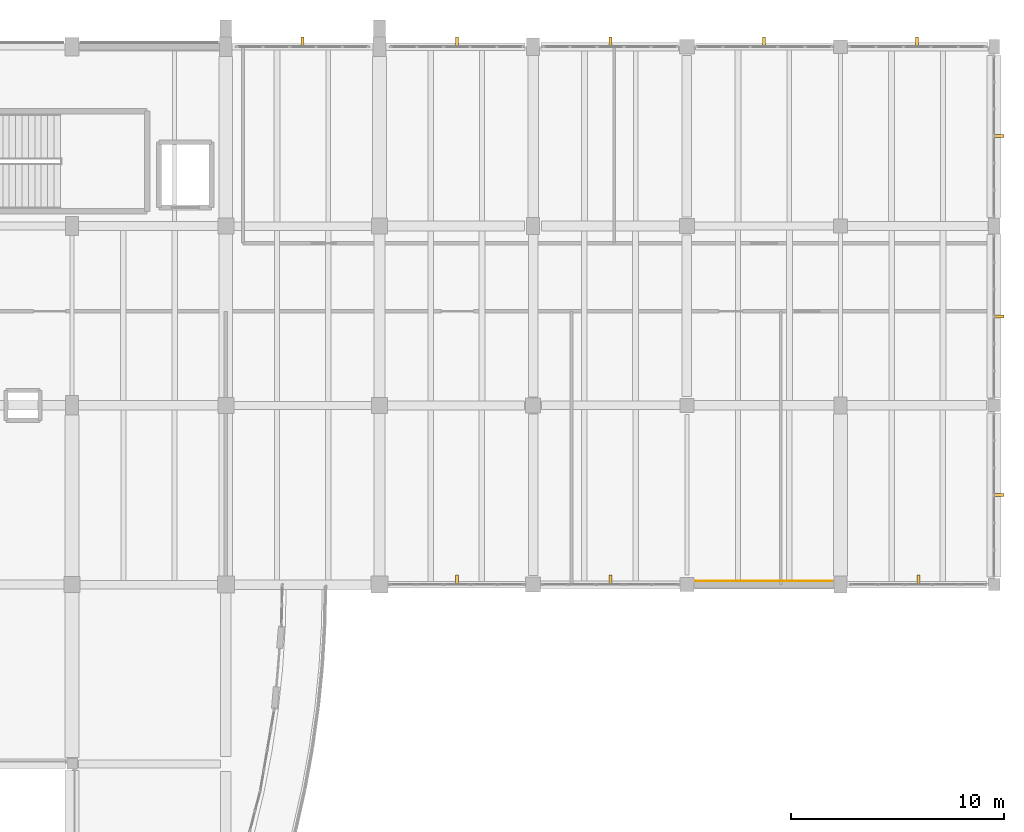
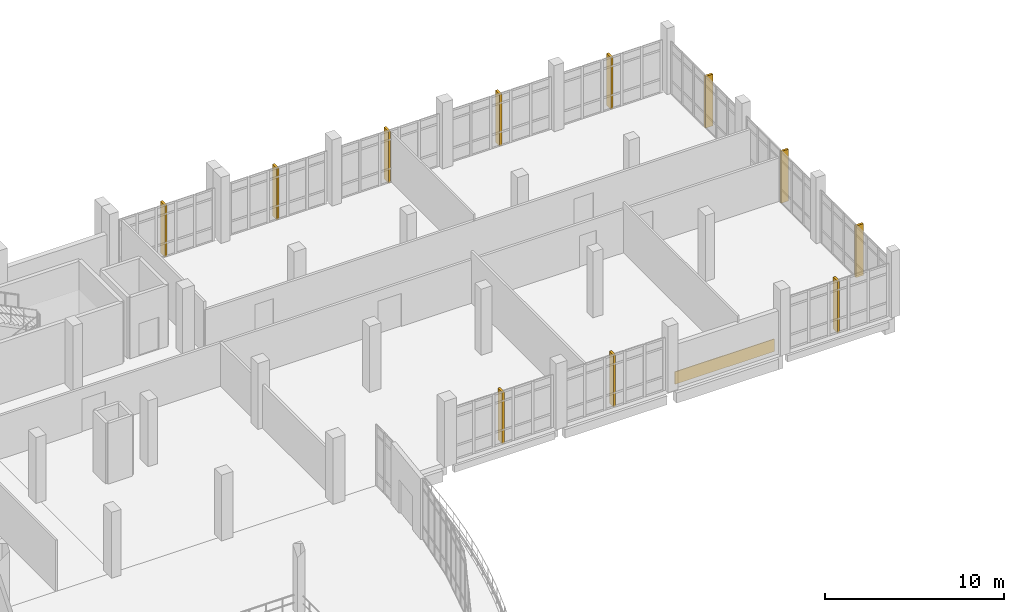
# One storey, part 116 of 116: 11 shading devices, 1 covering.
"""IFC4 building model written with IfcOpenShell, lengths in metres."""

from ifc_helpers import new_model, si_unit, direction, frame, origin, origin_2d, place, context, subcontext, project, spatial, rectangle, extrude, material, layer, layer_set, type_object, element, save


model = new_model("IFC4")

# Units and contexts
model_context = context("Model", 3, precision=1e-05, world=origin(), true_north=direction((0.0, 1.0)))
body_context = subcontext(model_context, "Body", "Model", "MODEL_VIEW")
ifc_project = project(units=[si_unit("LENGTHUNIT", "METRE"), si_unit("AREAUNIT", "SQUARE_METRE"), si_unit("VOLUMEUNIT", "CUBIC_METRE"), si_unit("PLANEANGLEUNIT", "RADIAN"), si_unit("MASSUNIT", "GRAM", prefix="KILO")], contexts=[model_context])

# Site, building, storey
site_placement = place(None, origin())
site = spatial("IfcSite", under=ifc_project, at=site_placement, CompositionType="ELEMENT")
building_placement = place(site_placement, origin())
building = spatial("IfcBuilding", under=site, at=building_placement, Name="Kalluvel Institute of Natural Sciences", CompositionType="ELEMENT")
storey_placement = place(building_placement, frame((0.0, 0.0, 14.39990234375)))
storey = spatial("IfcBuildingStorey", under=building, at=storey_placement, Name="L03", CompositionType="ELEMENT", Elevation=14.39990234375)

# Covering
ifc_material = material(Name="Sadarahalli Grey Granite Ashlar Concrete M40", Category="masonry")
ifc_layer = layer(ifc_material, 0.044921875)
ifc_layer_set = layer_set([ifc_layer], Name="Sadarahalli Grey Granite Ashlar Concrete M40")
covering_type = type_object("IfcCoveringType", Name="COV-CLAD-STONE", PredefinedType="CLADDING", material=ifc_layer_set)
covering_placement = place(storey_placement, frame((104.012451171875, 102.969970703125, 0.025146484375), z_axis=(0.0, 0.0, 1.0), x_axis=(1.0, 0.0, 0.0)))
element("IfcCovering", 1, at=covering_placement, inside=storey, type_object=covering_type, Name="L03 Sadarahalli granite plinth spandrel cladding 43", PredefinedType="CLADDING", context=body_context, shape_type="SweptSolid", body=[
    extrude(rectangle(XDim=6.4150390625, YDim=0.044921875, at=origin_2d()), origin(), (0.0, 0.0, 1.0), 0.85009765625),
])

# Shading devices
shading_device_type = type_object("IfcShadingDeviceType", Name="SHD-FIN-STONE", PredefinedType="USERDEFINED", material=ifc_material)
for number, where, z_axis, x_axis, name in (
    (2, (82.39990234375, 128.219970703125, 0.0), (0.0, 0.0, 1.0), (1.0, 0.0, 0.0), "L03 monsoon lancet shading fin 34"),
    (3, (89.625, 128.219970703125, 0.0), (0.0, 0.0, 1.0), (1.0, 0.0, 0.0), "L03 monsoon lancet shading fin 35"),
    (4, (96.824951171875, 128.219970703125, 0.0), (0.0, 0.0, 1.0), (1.0, 0.0, 0.0), "L03 monsoon lancet shading fin 36"),
    (5, (104.012451171875, 128.219970703125, 0.0), (0.0, 0.0, 1.0), (1.0, 0.0, 0.0), "L03 monsoon lancet shading fin 37"),
    (6, (111.1875, 128.219970703125, 0.0), (0.0, 0.0, 1.0), (1.0, 0.0, 0.0), "L03 monsoon lancet shading fin 38"),
    (7, (89.625, 103.02001953125, 0.0), (0.0, 0.0, 1.0), (1.0, 0.0, 0.0), "L03 monsoon lancet shading fin 39"),
    (8, (96.8125, 103.02001953125, 0.0), (0.0, 0.0, 1.0), (1.0, 0.0, 0.0), "L03 monsoon lancet shading fin 40"),
    (9, (111.262451171875, 103.02001953125, 0.0), (0.0, 0.0, 1.0), (1.0, 0.0, 0.0), "L03 monsoon lancet shading fin 41"),
    (10, (115.02001953125, 106.987548828125, 0.0), (0.0, 0.0, 1.0), (0.0, 1.0, 0.0), "L03 monsoon lancet shading fin 42"),
    (11, (115.02001953125, 115.362548828125, 0.0), (0.0, 0.0, 1.0), (0.0, 1.0, 0.0), "L03 monsoon lancet shading fin 43"),
    (12, (115.02001953125, 123.8125, 0.0), (0.0, 0.0, 1.0), (0.0, 1.0, 0.0), "L03 monsoon lancet shading fin 44"),
):
    element("IfcShadingDevice", number, at=place(storey_placement, frame(where, z_axis=z_axis, x_axis=x_axis)), inside=storey, type_object=shading_device_type, Name=name, ObjectType="MONSOON FIN", PredefinedType="USERDEFINED", context=body_context, shape_type="SweptSolid", body=[
        extrude(rectangle(XDim=0.139892578125, YDim=0.47998046875, at=origin_2d()), origin(), (0.0, 0.0, 1.0), 3.530029296875),
    ])

save(model, "model.ifc")
